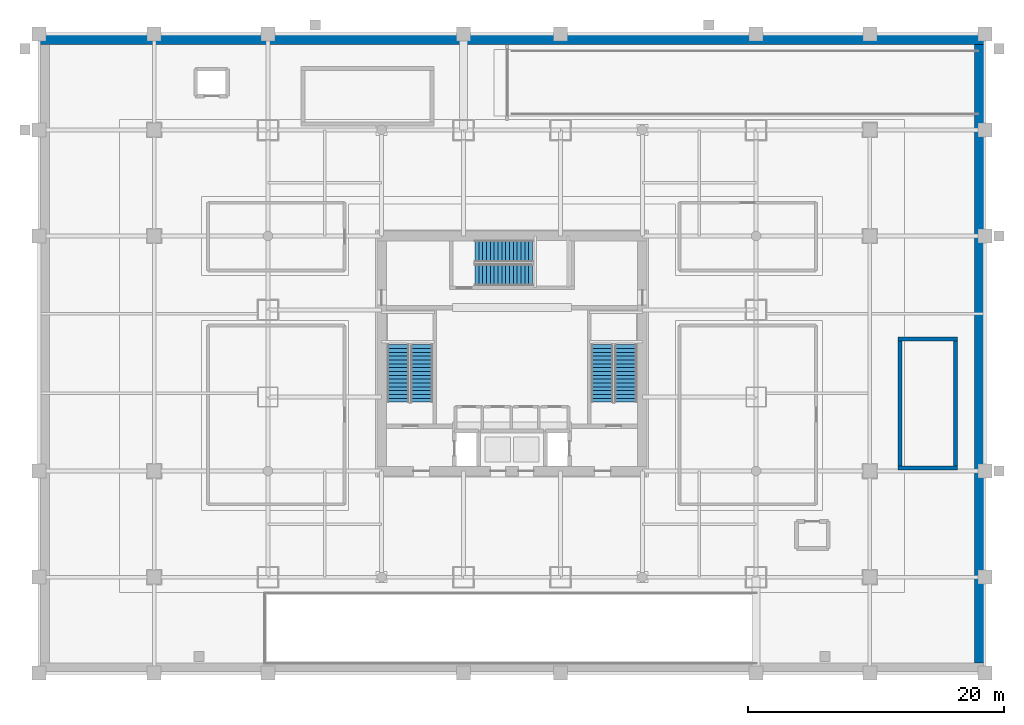
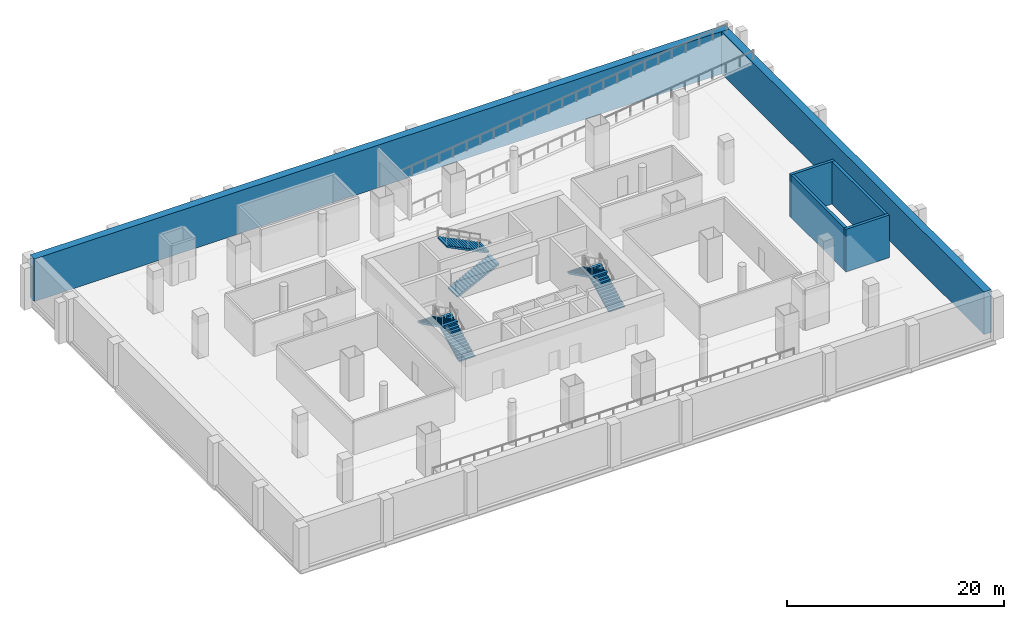
# One storey, part 5 of 12: 6 stair flights, 6 walls, 3 elements without a shape of their own.
"""IFC4 building model written with IfcOpenShell, lengths in metres."""

from ifc_helpers import new_model, si_unit, direction, frame, frame_2d, origin, place, context, subcontext, project, spatial, polyline, rectangle, outline, extrude, material, layer, layer_set, type_object, element, aggregate, save


model = new_model("IFC4")

# Units and contexts
model_context = context("Model", 3, precision=1e-05, world=origin(), true_north=direction((0.0, 1.0)))
body_context = subcontext(model_context, "Body", "Model", "MODEL_VIEW")
ifc_project = project(units=[si_unit("LENGTHUNIT", "METRE"), si_unit("AREAUNIT", "SQUARE_METRE"), si_unit("VOLUMEUNIT", "CUBIC_METRE"), si_unit("PLANEANGLEUNIT", "RADIAN"), si_unit("MASSUNIT", "GRAM", prefix="KILO")], contexts=[model_context])

# Site, building, storey
site_placement = place(None, origin())
site = spatial("IfcSite", under=ifc_project, at=site_placement, CompositionType="ELEMENT")
building_placement = place(site_placement, origin())
building = spatial("IfcBuilding", under=site, at=building_placement, Name="Punatoya Terracotta Tower", CompositionType="ELEMENT")
storey_placement = place(building_placement, frame((0.0, 0.0, -4.800048828125)))
storey = spatial("IfcBuildingStorey", under=building, at=storey_placement, Name="B1", CompositionType="ELEMENT", Elevation=-4.800048828125)

# Walls
ifc_material_1 = material(Name="Concrete C60/75", Category="concrete")
ifc_layer_1 = layer(ifc_material_1, 0.800048828125)
ifc_layer_set_1 = layer_set([ifc_layer_1], Name="Concrete C60/75")
wall_type_1 = type_object("IfcWallType", Name="WL-RET-800", PredefinedType="USERDEFINED", material=ifc_layer_set_1)
wall_1_placement = place(storey_placement, frame((-37.0, 24.60009765625, 0.0), z_axis=(0.0, 0.0, 1.0), x_axis=(1.0, 0.0, 0.0)))
element("IfcWall", 1, at=wall_1_placement, inside=storey, type_object=wall_type_1, Name="B1 Perimeter Retaining Wall North", ObjectType="RETAININGWALL", PredefinedType="USERDEFINED", context=body_context, shape_type="SweptSolid", body=[
    extrude(rectangle(XDim=74.0, YDim=0.800048828125, at=frame_2d((37.0, 0.0))), origin(), (0.0, 0.0, 1.0), 4.800048828125),
])
wall_2_placement = place(storey_placement, frame((36.60009765625, 24.199951171875, 0.0), z_axis=(0.0, 0.0, 1.0), x_axis=(0.0, -1.0, 0.0)))
element("IfcWall", 2, at=wall_2_placement, inside=storey, type_object=wall_type_1, Name="B1 Perimeter Retaining Wall East", ObjectType="RETAININGWALL", PredefinedType="USERDEFINED", context=body_context, shape_type="SweptSolid", body=[
    extrude(rectangle(XDim=48.39990234375, YDim=0.800048828125, at=frame_2d((24.199951171875, 0.0))), origin(), (0.0, 0.0, 1.0), 4.800048828125),
])
ifc_material_2 = material(Name="Concrete C40/50", Category="concrete")
ifc_layer_2 = layer(ifc_material_2, 0.300048828125)
ifc_layer_set_2 = layer_set([ifc_layer_2], Name="Concrete C40/50")
wall_type_2 = type_object("IfcWallType", Name="WL-SHF-300", PredefinedType="SOLIDWALL", material=ifc_layer_set_2)
for number, where, z_axis, x_axis, name in (
    (3, (30.199951171875, -8.949951171875, 0.0), (0.0, 0.0, 1.0), (1.0, 0.0, 0.0), "B1 ST-P2 South Structural Shaft Wall"),
    (4, (34.85009765625, 1.14990234375, 0.0), (0.0, 0.0, 1.0), (-1.0, 0.0, 0.0), "B1 ST-P2 North Structural Shaft Wall"),
):
    element("IfcWall", number, at=place(storey_placement, frame(where, z_axis=z_axis, x_axis=x_axis)), inside=storey, type_object=wall_type_2, Name=name, PredefinedType="SOLIDWALL", context=body_context, shape_type="SweptSolid", body=[
        extrude(rectangle(XDim=4.650146484375, YDim=0.300048828125, at=frame_2d((2.3251953125, 0.0))), origin(), (0.0, 0.0, 1.0), 4.800048828125),
    ])
for number, where, z_axis, x_axis, name in (
    (5, (30.35009765625, -8.800048828125, 0.0), (0.0, 0.0, 1.0), (0.0, 1.0, 0.0), "B1 ST-P2 West Structural Shaft Wall"),
    (6, (34.699951171875, 1.0, 0.0), (0.0, 0.0, 1.0), (0.0, -1.0, 0.0), "B1 ST-P2 East Structural Shaft Wall"),
):
    element("IfcWall", number, at=place(storey_placement, frame(where, z_axis=z_axis, x_axis=x_axis)), inside=storey, type_object=wall_type_2, Name=name, PredefinedType="SOLIDWALL", context=body_context, shape_type="SweptSolid", body=[
        extrude(rectangle(XDim=9.800048828125, YDim=0.300048828125, at=frame_2d((4.89990234375, 0.0))), origin(), (0.0, 0.0, 1.0), 4.800048828125),
    ])

# Stair, stair flights
stair_type_1 = type_object("IfcStairType", Name="STR-CORE-1550", PredefinedType="HALF_TURN_STAIR", material=ifc_material_2)
stair_1_placement = place(storey_placement, origin())
stair_1 = element("IfcStair", 7, at=stair_1_placement, inside=storey, type_object=stair_type_1, Name="B1 Protected Core Exit Stair ST-1", PredefinedType="HALF_TURN_STAIR")
stair_flight_type_1 = type_object("IfcStairFlightType", Name="SFL-CORE-1550", PredefinedType="STRAIGHT", material=ifc_material_2)
stair_flight_1_placement = place(storey_placement, frame((-7.050048828125, -3.800048828125, 0.0), z_axis=(0.0, 0.0, 1.0), x_axis=(0.0, 1.0, 0.0)))
stair_flight_1 = element("IfcStairFlight", 8, at=stair_flight_1_placement, type_object=stair_flight_type_1, Name="ST-1 flight 1", NumberOfRisers=16, NumberOfTreads=15, PredefinedType="STRAIGHT", RiserHeight=0.15, TreadLength=0.3, context=body_context, shape_type="SweptSolid", body=[
    extrude(outline(polyline([(0.0, 0.0), (0.0, 0.14990234375), (0.300048828125, 0.14990234375), (0.300048828125, 0.300048828125), (0.60009765625, 0.300048828125), (0.60009765625, 0.449951171875), (0.89990234375, 0.449951171875), (0.89990234375, 0.60009765625), (1.199951171875, 0.60009765625), (1.199951171875, 0.75), (1.5, 0.75), (1.5, 0.89990234375), (1.800048828125, 0.89990234375), (1.800048828125, 1.050048828125), (2.10009765625, 1.050048828125), (2.10009765625, 1.199951171875), (2.39990234375, 1.199951171875), (2.39990234375, 1.35009765625), (2.699951171875, 1.35009765625), (2.699951171875, 1.5), (3.0, 1.5), (3.0, 1.64990234375), (3.300048828125, 1.64990234375), (3.300048828125, 1.800048828125), (3.60009765625, 1.800048828125), (3.60009765625, 1.949951171875), (3.89990234375, 1.949951171875), (3.89990234375, 2.10009765625), (4.199951171875, 2.10009765625), (4.199951171875, 2.25), (4.5, 2.25), (4.5, 2.39990234375), (4.5, 2.08251953125), (0.335205078125, 0.0), (0.0, 0.0)])), frame((0.0, 0.85009765625, 0.0), z_axis=(0.0, -1.0, 0.0), x_axis=(1.0, 0.0, 0.0)), (0.0, 0.0, 1.0), 1.699951171875),
])
stair_flight_2_placement = place(storey_placement, frame((-8.89990234375, 0.699951171875, 2.400146484375), z_axis=(0.0, 0.0, 1.0), x_axis=(0.0, -1.0, 0.0)))
stair_flight_2 = element("IfcStairFlight", 9, at=stair_flight_2_placement, type_object=stair_flight_type_1, Name="ST-1 flight 2", NumberOfRisers=16, NumberOfTreads=15, PredefinedType="STRAIGHT", RiserHeight=0.15, TreadLength=0.3, context=body_context, shape_type="SweptSolid", body=[
    extrude(outline(polyline([(0.0, 0.0), (0.0, 0.14990234375), (0.300048828125, 0.14990234375), (0.300048828125, 0.300048828125), (0.60009765625, 0.300048828125), (0.60009765625, 0.449951171875), (0.89990234375, 0.449951171875), (0.89990234375, 0.60009765625), (1.199951171875, 0.60009765625), (1.199951171875, 0.75), (1.5, 0.75), (1.5, 0.89990234375), (1.800048828125, 0.89990234375), (1.800048828125, 1.050048828125), (2.10009765625, 1.050048828125), (2.10009765625, 1.199951171875), (2.39990234375, 1.199951171875), (2.39990234375, 1.35009765625), (2.699951171875, 1.35009765625), (2.699951171875, 1.5), (3.0, 1.5), (3.0, 1.64990234375), (3.300048828125, 1.64990234375), (3.300048828125, 1.800048828125), (3.60009765625, 1.800048828125), (3.60009765625, 1.949951171875), (3.89990234375, 1.949951171875), (3.89990234375, 2.10009765625), (4.199951171875, 2.10009765625), (4.199951171875, 2.25), (4.5, 2.25), (4.5, 2.39990234375), (4.5, 2.08251953125), (0.335205078125, 0.0), (0.0, 0.0)])), frame((0.0, 0.85009765625, 0.0), z_axis=(0.0, -1.0, 0.0), x_axis=(1.0, 0.0, 0.0)), (0.0, 0.0, 1.0), 1.699951171875),
])
aggregate(stair_1, [stair_flight_1, stair_flight_2])

stair_type_2 = type_object("IfcStairType", Name="STR-LOB-1650", PredefinedType="HALF_TURN_STAIR", material=ifc_material_2)
stair_2_placement = place(storey_placement, origin())
stair_2 = element("IfcStair", 10, at=stair_2_placement, inside=storey, type_object=stair_type_2, Name="B1 Protected Core Exit Stair ST-2", PredefinedType="HALF_TURN_STAIR")
stair_flight_type_2 = type_object("IfcStairFlightType", Name="SFL-LOB-1650", PredefinedType="STRAIGHT", material=ifc_material_2)
stair_flight_3_placement = place(storey_placement, frame((8.89990234375, -3.800048828125, 0.0), z_axis=(0.0, 0.0, 1.0), x_axis=(0.0, 1.0, 0.0)))
stair_flight_3 = element("IfcStairFlight", 11, at=stair_flight_3_placement, type_object=stair_flight_type_2, Name="ST-2 flight 1", NumberOfRisers=16, NumberOfTreads=15, PredefinedType="STRAIGHT", RiserHeight=0.15, TreadLength=0.3, context=body_context, shape_type="SweptSolid", body=[
    extrude(outline(polyline([(0.0, 0.0), (0.0, 0.14990234375), (0.300048828125, 0.14990234375), (0.300048828125, 0.300048828125), (0.60009765625, 0.300048828125), (0.60009765625, 0.449951171875), (0.89990234375, 0.449951171875), (0.89990234375, 0.60009765625), (1.199951171875, 0.60009765625), (1.199951171875, 0.75), (1.5, 0.75), (1.5, 0.89990234375), (1.800048828125, 0.89990234375), (1.800048828125, 1.050048828125), (2.10009765625, 1.050048828125), (2.10009765625, 1.199951171875), (2.39990234375, 1.199951171875), (2.39990234375, 1.35009765625), (2.699951171875, 1.35009765625), (2.699951171875, 1.5), (3.0, 1.5), (3.0, 1.64990234375), (3.300048828125, 1.64990234375), (3.300048828125, 1.800048828125), (3.60009765625, 1.800048828125), (3.60009765625, 1.949951171875), (3.89990234375, 1.949951171875), (3.89990234375, 2.10009765625), (4.199951171875, 2.10009765625), (4.199951171875, 2.25), (4.5, 2.25), (4.5, 2.39990234375), (4.5, 2.08251953125), (0.335205078125, 0.0), (0.0, 0.0)])), frame((0.0, 0.85009765625, 0.0), z_axis=(0.0, -1.0, 0.0), x_axis=(1.0, 0.0, 0.0)), (0.0, 0.0, 1.0), 1.699951171875),
])
stair_flight_4_placement = place(storey_placement, frame((7.050048828125, 0.699951171875, 2.400146484375), z_axis=(0.0, 0.0, 1.0), x_axis=(0.0, -1.0, 0.0)))
stair_flight_4 = element("IfcStairFlight", 12, at=stair_flight_4_placement, type_object=stair_flight_type_2, Name="ST-2 flight 2", NumberOfRisers=16, NumberOfTreads=15, PredefinedType="STRAIGHT", RiserHeight=0.15, TreadLength=0.3, context=body_context, shape_type="SweptSolid", body=[
    extrude(outline(polyline([(0.0, 0.0), (0.0, 0.14990234375), (0.300048828125, 0.14990234375), (0.300048828125, 0.300048828125), (0.60009765625, 0.300048828125), (0.60009765625, 0.449951171875), (0.89990234375, 0.449951171875), (0.89990234375, 0.60009765625), (1.199951171875, 0.60009765625), (1.199951171875, 0.75), (1.5, 0.75), (1.5, 0.89990234375), (1.800048828125, 0.89990234375), (1.800048828125, 1.050048828125), (2.10009765625, 1.050048828125), (2.10009765625, 1.199951171875), (2.39990234375, 1.199951171875), (2.39990234375, 1.35009765625), (2.699951171875, 1.35009765625), (2.699951171875, 1.5), (3.0, 1.5), (3.0, 1.64990234375), (3.300048828125, 1.64990234375), (3.300048828125, 1.800048828125), (3.60009765625, 1.800048828125), (3.60009765625, 1.949951171875), (3.89990234375, 1.949951171875), (3.89990234375, 2.10009765625), (4.199951171875, 2.10009765625), (4.199951171875, 2.25), (4.5, 2.25), (4.5, 2.39990234375), (4.5, 2.08251953125), (0.335205078125, 0.0), (0.0, 0.0)])), frame((0.0, 0.85009765625, 0.0), z_axis=(0.0, -1.0, 0.0), x_axis=(1.0, 0.0, 0.0)), (0.0, 0.0, 1.0), 1.699951171875),
])
aggregate(stair_2, [stair_flight_3, stair_flight_4])

stair_type_3 = type_object("IfcStairType", Name="STR-TER-1450", PredefinedType="HALF_TURN_STAIR", material=ifc_material_2)
stair_3_placement = place(storey_placement, origin())
stair_3 = element("IfcStair", 13, at=stair_3_placement, inside=storey, type_object=stair_type_3, Name="B1 Protected Core Exit Stair ST-3", PredefinedType="HALF_TURN_STAIR")
stair_flight_type_3 = type_object("IfcStairFlightType", Name="SFL-TER-1450", PredefinedType="STRAIGHT", material=ifc_material_2)
stair_flight_5_placement = place(storey_placement, frame((-2.89990234375, 6.14990234375, 0.0), z_axis=(0.0, 0.0, 1.0), x_axis=(1.0, 0.0, 0.0)))
stair_flight_5 = element("IfcStairFlight", 14, at=stair_flight_5_placement, type_object=stair_flight_type_3, Name="ST-3 flight 1", NumberOfRisers=16, NumberOfTreads=15, PredefinedType="STRAIGHT", RiserHeight=0.15, TreadLength=0.3, context=body_context, shape_type="SweptSolid", body=[
    extrude(outline(polyline([(0.0, 0.0), (0.0, 0.14990234375), (0.300048828125, 0.14990234375), (0.300048828125, 0.300048828125), (0.60009765625, 0.300048828125), (0.60009765625, 0.449951171875), (0.89990234375, 0.449951171875), (0.89990234375, 0.60009765625), (1.199951171875, 0.60009765625), (1.199951171875, 0.75), (1.5, 0.75), (1.5, 0.89990234375), (1.800048828125, 0.89990234375), (1.800048828125, 1.050048828125), (2.10009765625, 1.050048828125), (2.10009765625, 1.199951171875), (2.39990234375, 1.199951171875), (2.39990234375, 1.35009765625), (2.699951171875, 1.35009765625), (2.699951171875, 1.5), (3.0, 1.5), (3.0, 1.64990234375), (3.300048828125, 1.64990234375), (3.300048828125, 1.800048828125), (3.60009765625, 1.800048828125), (3.60009765625, 1.949951171875), (3.89990234375, 1.949951171875), (3.89990234375, 2.10009765625), (4.199951171875, 2.10009765625), (4.199951171875, 2.25), (4.5, 2.25), (4.5, 2.39990234375), (4.5, 2.08251953125), (0.335205078125, 0.0), (0.0, 0.0)])), frame((0.0, 0.85009765625, 0.0), z_axis=(0.0, -1.0, 0.0), x_axis=(1.0, 0.0, 0.0)), (0.0, 0.0, 1.0), 1.699951171875),
])
stair_flight_6_placement = place(storey_placement, frame((1.60009765625, 8.0, 2.400146484375), z_axis=(0.0, 0.0, 1.0), x_axis=(-1.0, 0.0, 0.0)))
stair_flight_6 = element("IfcStairFlight", 15, at=stair_flight_6_placement, type_object=stair_flight_type_3, Name="ST-3 flight 2", NumberOfRisers=16, NumberOfTreads=15, PredefinedType="STRAIGHT", RiserHeight=0.15, TreadLength=0.3, context=body_context, shape_type="SweptSolid", body=[
    extrude(outline(polyline([(0.0, 0.0), (0.0, 0.14990234375), (0.300048828125, 0.14990234375), (0.300048828125, 0.300048828125), (0.60009765625, 0.300048828125), (0.60009765625, 0.449951171875), (0.89990234375, 0.449951171875), (0.89990234375, 0.60009765625), (1.199951171875, 0.60009765625), (1.199951171875, 0.75), (1.5, 0.75), (1.5, 0.89990234375), (1.800048828125, 0.89990234375), (1.800048828125, 1.050048828125), (2.10009765625, 1.050048828125), (2.10009765625, 1.199951171875), (2.39990234375, 1.199951171875), (2.39990234375, 1.35009765625), (2.699951171875, 1.35009765625), (2.699951171875, 1.5), (3.0, 1.5), (3.0, 1.64990234375), (3.300048828125, 1.64990234375), (3.300048828125, 1.800048828125), (3.60009765625, 1.800048828125), (3.60009765625, 1.949951171875), (3.89990234375, 1.949951171875), (3.89990234375, 2.10009765625), (4.199951171875, 2.10009765625), (4.199951171875, 2.25), (4.5, 2.25), (4.5, 2.39990234375), (4.5, 2.08251953125), (0.335205078125, 0.0), (0.0, 0.0)])), frame((0.0, 0.85009765625, 0.0), z_axis=(0.0, -1.0, 0.0), x_axis=(1.0, 0.0, 0.0)), (0.0, 0.0, 1.0), 1.699951171875),
])
aggregate(stair_3, [stair_flight_5, stair_flight_6])

save(model, "model.ifc")
